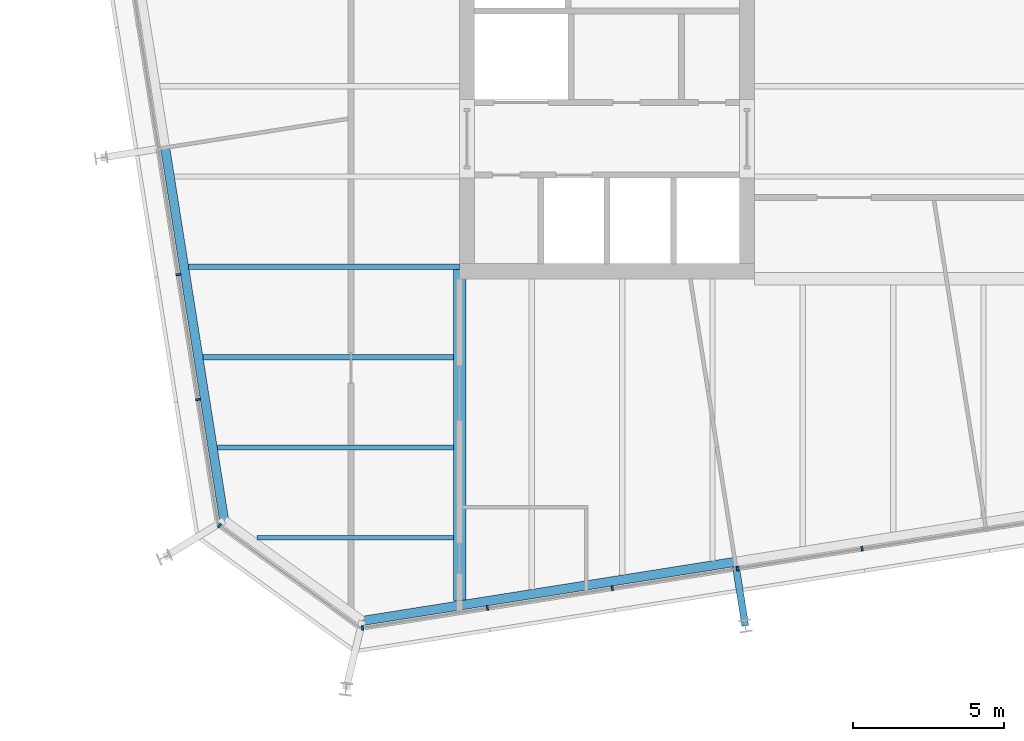
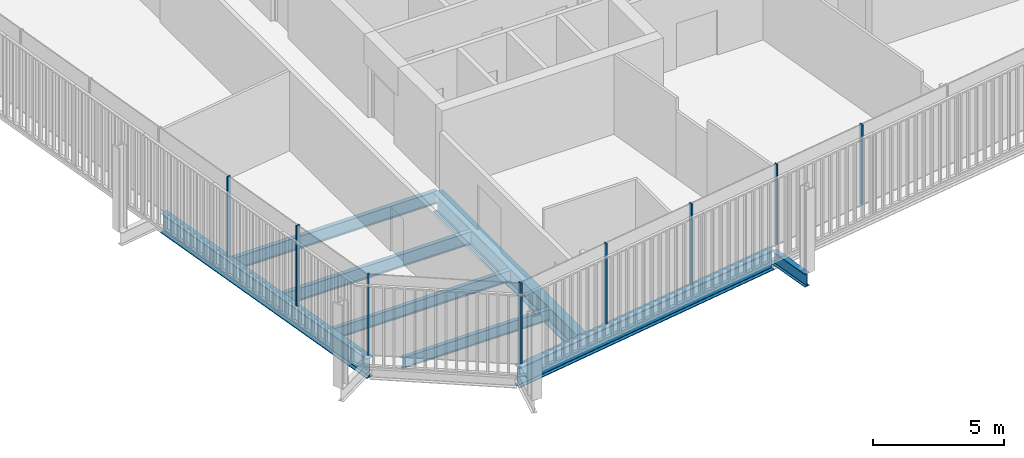
# One storey, part 2 of 20: 8 beams, 8 members, 3 elements without a shape of their own.
"""IFC4 building model written with IfcOpenShell, lengths in metres."""

from ifc_helpers import new_model, si_unit, direction, frame, origin, origin_2d, place, context, subcontext, project, spatial, rectangle, i_section, extrude, material, layer, layer_set, material_profile, profile_set, type_object, element, aggregate, save


model = new_model("IFC4")

# Units and contexts
model_context = context("Model", 3, precision=1e-05, world=origin(), true_north=direction((0.0, 1.0)))
body_context = subcontext(model_context, "Body", "Model", "MODEL_VIEW")
ifc_project = project(units=[si_unit("LENGTHUNIT", "METRE"), si_unit("AREAUNIT", "SQUARE_METRE"), si_unit("VOLUMEUNIT", "CUBIC_METRE"), si_unit("PLANEANGLEUNIT", "RADIAN"), si_unit("MASSUNIT", "GRAM", prefix="KILO")], contexts=[model_context])

# Site, building, storey
site_placement = place(None, origin())
site = spatial("IfcSite", under=ifc_project, at=site_placement, CompositionType="ELEMENT")
building_placement = place(site_placement, origin())
building = spatial("IfcBuilding", under=site, at=building_placement, Name="Millrace Tower", CompositionType="ELEMENT")
storey_placement = place(building_placement, frame((0.0, 0.0, 251.300048828125)))
storey = spatial("IfcBuildingStorey", under=building, at=storey_placement, Name="L57", CompositionType="ELEMENT", Elevation=251.300048828125)

# Curtain wall, member
ifc_material_1 = material(Name="Aluminium and glass", Category="aluminium")
ifc_layer = layer(ifc_material_1, 0.14990234375)
ifc_layer_set = layer_set([ifc_layer], Name="Aluminium and glass")
curtain_wall_type = type_object("IfcCurtainWallType", Name="CW-1 office vision curtain wall", PredefinedType="NOTDEFINED", material=ifc_layer_set)
placement = place(storey_placement, origin())
curtain_wall_1 = element("IfcCurtainWall", 1, at=placement, inside=storey, type_object=curtain_wall_type, Name="Curtain wall D-F01 L57", PredefinedType="NOTDEFINED")
ifc_material_2 = material(Name="Aluminium", Category="aluminium")
ifc_material_profile_1 = material_profile(ifc_material_2, rectangle(XDim=0.06494140625, YDim=0.14990234375, at=origin_2d()))
ifc_profile_set_1 = profile_set([ifc_material_profile_1], Name="Aluminium")
member_type = type_object("IfcMemberType", Name="CW-1 office vision curtain wall mullion", PredefinedType="MULLION", material=ifc_profile_set_1)
member_1_placement = place(storey_placement, frame((-22.3779296875, -17.594970703125, 0.139892578125), z_axis=(0.0, 0.0, 1.0), x_axis=(0.809016955361, -0.587785305991, 0.0)))
member_1 = element("IfcMember", 2, at=member_1_placement, type_object=member_type, Name="CW1 mullion D-F01.1", PredefinedType="MULLION", context=body_context, shape_type="SweptSolid", body=[
    extrude(rectangle(XDim=0.06494140625, YDim=0.14990234375, at=origin_2d()), origin(), (0.0, 0.0, 1.0), 3.760009765625),
])
aggregate(curtain_wall_1, [member_1])

# Curtain wall, members
curtain_wall_2 = element("IfcCurtainWall", 3, at=placement, inside=storey, type_object=curtain_wall_type, Name="Curtain wall D-F02 L57", PredefinedType="NOTDEFINED")
member_2_placement = place(storey_placement, frame((-17.62548828125, -20.992431640625, 0.139892578125), z_axis=(0.0, 0.0, 1.0), x_axis=(0.987688339511, 0.156434471884, 0.0)))
member_2 = element("IfcMember", 4, at=member_2_placement, type_object=member_type, Name="CW1 mullion D-F02.1", PredefinedType="MULLION", context=body_context, shape_type="SweptSolid", body=[
    extrude(rectangle(XDim=0.06494140625, YDim=0.14990234375, at=origin_2d()), origin(), (0.0, 0.0, 1.0), 3.760009765625),
])
member_3_placement = place(storey_placement, frame((-13.477294921875, -20.33544921875, 0.139892578125), z_axis=(0.0, 0.0, 1.0), x_axis=(0.987688339511, 0.156434471884, 0.0)))
member_3 = element("IfcMember", 5, at=member_3_placement, type_object=member_type, Name="CW1 mullion D-F02.2", PredefinedType="MULLION", context=body_context, shape_type="SweptSolid", body=[
    extrude(rectangle(XDim=0.06494140625, YDim=0.14990234375, at=origin_2d()), origin(), (0.0, 0.0, 1.0), 3.760009765625),
])
member_4_placement = place(storey_placement, frame((-9.328857421875, -19.678466796875, 0.139892578125), z_axis=(0.0, 0.0, 1.0), x_axis=(0.987688339511, 0.156434471884, 0.0)))
member_4 = element("IfcMember", 6, at=member_4_placement, type_object=member_type, Name="CW1 mullion D-F02.3", PredefinedType="MULLION", context=body_context, shape_type="SweptSolid", body=[
    extrude(rectangle(XDim=0.06494140625, YDim=0.14990234375, at=origin_2d()), origin(), (0.0, 0.0, 1.0), 3.760009765625),
])
member_5_placement = place(storey_placement, frame((-5.1806640625, -19.021240234375, 0.139892578125), z_axis=(0.0, 0.0, 1.0), x_axis=(0.987688339511, 0.156434471884, 0.0)))
member_5 = element("IfcMember", 7, at=member_5_placement, type_object=member_type, Name="CW1 mullion D-F02.4", PredefinedType="MULLION", context=body_context, shape_type="SweptSolid", body=[
    extrude(rectangle(XDim=0.06494140625, YDim=0.14990234375, at=origin_2d()), origin(), (0.0, 0.0, 1.0), 3.760009765625),
])
member_6_placement = place(storey_placement, frame((-1.0322265625, -18.3642578125, 0.139892578125), z_axis=(0.0, 0.0, 1.0), x_axis=(0.987688339511, 0.156434471884, 0.0)))
member_6 = element("IfcMember", 8, at=member_6_placement, type_object=member_type, Name="CW1 mullion D-F02.5", PredefinedType="MULLION", context=body_context, shape_type="SweptSolid", body=[
    extrude(rectangle(XDim=0.06494140625, YDim=0.14990234375, at=origin_2d()), origin(), (0.0, 0.0, 1.0), 3.760009765625),
])
aggregate(curtain_wall_2, [member_2, member_3, member_4, member_5, member_6])

curtain_wall_3 = element("IfcCurtainWall", 9, at=placement, inside=storey, type_object=curtain_wall_type, Name="Curtain wall D-F08 L57", PredefinedType="NOTDEFINED")
member_7_placement = place(storey_placement, frame((-23.7431640625, -9.262451171875, 0.139892578125), z_axis=(0.0, 0.0, 1.0), x_axis=(0.156434471884, -0.987688339511, 0.0)))
member_7 = element("IfcMember", 10, at=member_7_placement, type_object=member_type, Name="CW1 mullion D-F08.8", PredefinedType="MULLION", context=body_context, shape_type="SweptSolid", body=[
    extrude(rectangle(XDim=0.06494140625, YDim=0.14990234375, at=origin_2d()), origin(), (0.0, 0.0, 1.0), 3.760009765625),
])
member_8_placement = place(storey_placement, frame((-23.086181640625, -13.410888671875, 0.139892578125), z_axis=(0.0, 0.0, 1.0), x_axis=(0.156434471884, -0.987688339511, 0.0)))
member_8 = element("IfcMember", 11, at=member_8_placement, type_object=member_type, Name="CW1 mullion D-F08.9", PredefinedType="MULLION", context=body_context, shape_type="SweptSolid", body=[
    extrude(rectangle(XDim=0.06494140625, YDim=0.14990234375, at=origin_2d()), origin(), (0.0, 0.0, 1.0), 3.760009765625),
])
aggregate(curtain_wall_3, [member_7, member_8])

# Beams
ifc_material_3 = material(Name="Steel ASTM A992 Grade 50", Category="steel")
ifc_material_profile_2 = material_profile(ifc_material_3, i_section(OverallWidth=0.1650390625, OverallDepth=0.52587890625, WebThickness=0.0087890625, FlangeThickness=0.011474609375, FilletRadius=0.0126953125, at=origin_2d()))
ifc_profile_set_2 = profile_set([ifc_material_profile_2], Name="Steel ASTM A992 Grade 50")
beam_type_1 = type_object("IfcBeamType", Name="Floor beam W21x44", PredefinedType="JOIST", material=ifc_profile_set_2)
beam_1_placement = place(storey_placement, frame((-22.447509765625, -15.0, -0.4228515625), z_axis=(1.0, 0.0, 0.0), x_axis=(0.0, 1.0, 0.0)))
element("IfcBeam", 12, at=beam_1_placement, inside=storey, type_object=beam_type_1, Name="BM-D-L57-S1-S002", PredefinedType="JOIST", context=body_context, shape_type="SweptSolid", body=[
    extrude(i_section(OverallWidth=0.1650390625, OverallDepth=0.52587890625, WebThickness=0.0087890625, FlangeThickness=0.011474609375, FilletRadius=0.0126953125, at=origin_2d()), origin(), (0.0, 0.0, 1.0), 7.837890625),
])
beam_2_placement = place(storey_placement, frame((-21.13427734375, -18.0, -0.4228515625), z_axis=(1.0, 0.0, 0.0), x_axis=(0.0, 1.0, 0.0)))
element("IfcBeam", 13, at=beam_2_placement, inside=storey, type_object=beam_type_1, Name="BM-D-L57-S1-S001", PredefinedType="JOIST", context=body_context, shape_type="SweptSolid", body=[
    extrude(i_section(OverallWidth=0.1650390625, OverallDepth=0.52587890625, WebThickness=0.0087890625, FlangeThickness=0.011474609375, FilletRadius=0.0126953125, at=origin_2d()), origin(), (0.0, 0.0, 1.0), 6.524658203125),
])
ifc_material_4 = material(Name="Steel ASTM A992 Grade 50", Category="steel")
ifc_material_profile_3 = material_profile(ifc_material_4, i_section(OverallWidth=0.177978515625, OverallDepth=0.599365234375, WebThickness=0.010009765625, FlangeThickness=0.012939453125, FilletRadius=0.012939453125, at=origin_2d()))
ifc_profile_set_3 = profile_set([ifc_material_profile_3], Name="Steel ASTM A992 Grade 50")
beam_type_2 = type_object("IfcBeamType", Name="Floor beam W24x55", PredefinedType="JOIST", material=ifc_profile_set_3)
beam_3_placement = place(storey_placement, frame((-22.922607421875, -12.0, -0.459716796875), z_axis=(1.0, 0.0, 0.0), x_axis=(0.0, 1.0, 0.0)))
element("IfcBeam", 14, at=beam_3_placement, inside=storey, type_object=beam_type_2, Name="BM-D-L57-S1-S004", PredefinedType="JOIST", context=body_context, shape_type="SweptSolid", body=[
    extrude(i_section(OverallWidth=0.177978515625, OverallDepth=0.599365234375, WebThickness=0.010009765625, FlangeThickness=0.012939453125, FilletRadius=0.012939453125, at=origin_2d()), origin(), (0.0, 0.0, 1.0), 8.31298828125),
])
beam_4_placement = place(storey_placement, frame((-23.397705078125, -9.0, -0.459716796875), z_axis=(1.0, 0.0, 0.0), x_axis=(0.0, 1.0, 0.0)))
element("IfcBeam", 15, at=beam_4_placement, inside=storey, type_object=beam_type_2, Name="BM-D-L57-S1-S006", PredefinedType="JOIST", context=body_context, shape_type="SweptSolid", body=[
    extrude(i_section(OverallWidth=0.177978515625, OverallDepth=0.599365234375, WebThickness=0.010009765625, FlangeThickness=0.012939453125, FilletRadius=0.012939453125, at=origin_2d()), origin(), (0.0, 0.0, 1.0), 8.997802734375),
])
ifc_material_5 = material(Name="Steel ASTM A992 Grade 50", Category="steel")
ifc_material_profile_4 = material_profile(ifc_material_5, i_section(OverallWidth=0.419189453125, OverallDepth=0.927001953125, WebThickness=0.019287109375, FlangeThickness=0.031982421875, FilletRadius=0.024169921875, at=origin_2d()))
ifc_profile_set_4 = profile_set([ifc_material_profile_4], Name="Steel ASTM A992 Grade 50")
beam_type_3 = type_object("IfcBeamType", Name="Girder short span W36x231", PredefinedType="BEAM", material=ifc_profile_set_4)
beam_5_placement = place(storey_placement, frame((-14.39990234375, -20.08642578125, -0.62353515625), z_axis=(0.0, 1.0, 0.0), x_axis=(-1.0, 0.0, 0.0)))
element("IfcBeam", 16, at=beam_5_placement, inside=storey, type_object=beam_type_3, Name="BM-D-L57-S1-G055", PredefinedType="BEAM", context=body_context, shape_type="SweptSolid", body=[
    extrude(i_section(OverallWidth=0.419189453125, OverallDepth=0.927001953125, WebThickness=0.019287109375, FlangeThickness=0.031982421875, FilletRadius=0.024169921875, at=origin_2d()), origin(), (0.0, 0.0, 1.0), 10.994384765625),
])
ifc_material_6 = material(Name="Steel ASTM A992 Grade 50", Category="steel")
ifc_material_profile_5 = material_profile(ifc_material_6, i_section(OverallWidth=0.23046875, OverallDepth=0.6171875, WebThickness=0.01318359375, FlangeThickness=0.022216796875, FilletRadius=0.012939453125, at=origin_2d()))
ifc_profile_set_5 = profile_set([ifc_material_profile_5], Name="Steel ASTM A992 Grade 50")
beam_type_4 = type_object("IfcBeamType", Name="Link beam W24x94", PredefinedType="BEAM", material=ifc_profile_set_5)
beam_6_placement = place(storey_placement, frame((-5.224365234375, -18.952392578125, -0.46875), z_axis=(0.15637629034, -0.987697552806, 0.0), x_axis=(0.987697552806, 0.15637629034, 0.0)))
element("IfcBeam", 17, at=beam_6_placement, inside=storey, type_object=beam_type_4, Name="LNK-D-L57-S1-15", PredefinedType="BEAM", context=body_context, shape_type="SweptSolid", body=[
    extrude(i_section(OverallWidth=0.23046875, OverallDepth=0.6171875, WebThickness=0.01318359375, FlangeThickness=0.022216796875, FilletRadius=0.012939453125, at=origin_2d()), origin(), (0.0, 0.0, 1.0), 2.0),
])
ifc_material_7 = material(Name="Steel ASTM A992 Grade 50", Category="steel")
ifc_material_profile_6 = material_profile(ifc_material_7, i_section(OverallWidth=0.307373046875, OverallDepth=0.927001953125, WebThickness=0.01953125, FlangeThickness=0.031982421875, FilletRadius=0.01904296875, at=origin_2d()))
ifc_profile_set_6 = profile_set([ifc_material_profile_6], Name="Steel ASTM A992 Grade 50")
beam_type_5 = type_object("IfcBeamType", Name="Ring beam medium span W36x194", PredefinedType="SPANDREL", material=ifc_profile_set_6)
beam_7_placement = place(storey_placement, frame((-22.218505859375, -17.428466796875, -0.62353515625), z_axis=(-0.156419577072, 0.987690698503, 0.0), x_axis=(-0.987690698503, -0.156419577072, 0.0)))
element("IfcBeam", 18, at=beam_7_placement, inside=storey, type_object=beam_type_5, Name="RNG-D-L57-S1-01", PredefinedType="SPANDREL", context=body_context, shape_type="SweptSolid", body=[
    extrude(i_section(OverallWidth=0.307373046875, OverallDepth=0.927001953125, WebThickness=0.01953125, FlangeThickness=0.031982421875, FilletRadius=0.01904296875, at=origin_2d()), origin(), (0.0, 0.0, 1.0), 12.536376953125),
])
beam_8_placement = place(storey_placement, frame((-5.24853515625, -18.800537109375, -0.62353515625), z_axis=(-0.987687213011, -0.156441584157, 0.0), x_axis=(0.156441584157, -0.987687213011, 0.0)))
element("IfcBeam", 19, at=beam_8_placement, inside=storey, type_object=beam_type_5, Name="RNG-D-L57-S1-15", PredefinedType="SPANDREL", context=body_context, shape_type="SweptSolid", body=[
    extrude(i_section(OverallWidth=0.307373046875, OverallDepth=0.927001953125, WebThickness=0.01953125, FlangeThickness=0.031982421875, FilletRadius=0.01904296875, at=origin_2d()), origin(), (0.0, 0.0, 1.0), 12.5361328125),
])

save(model, "model.ifc")
